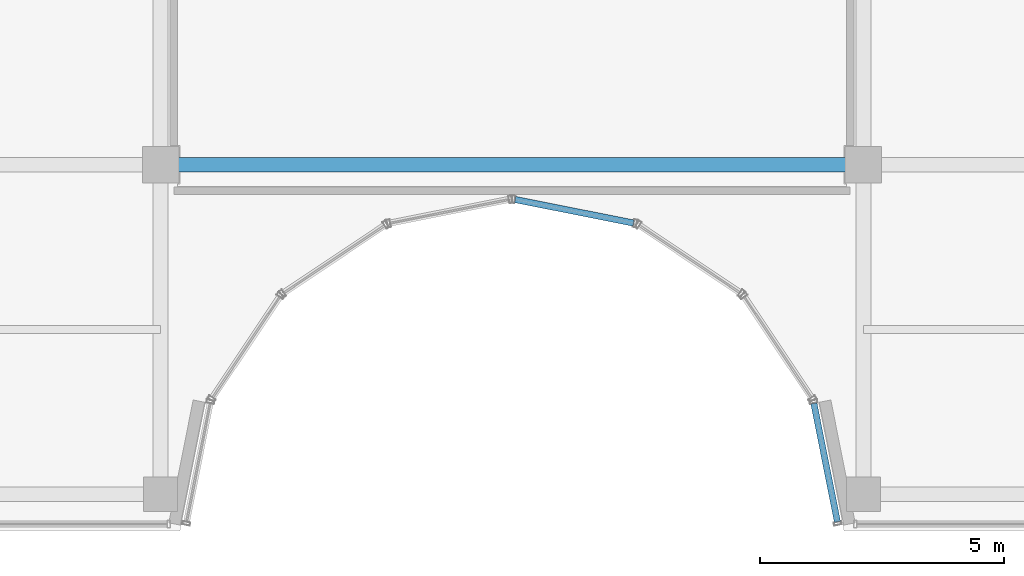
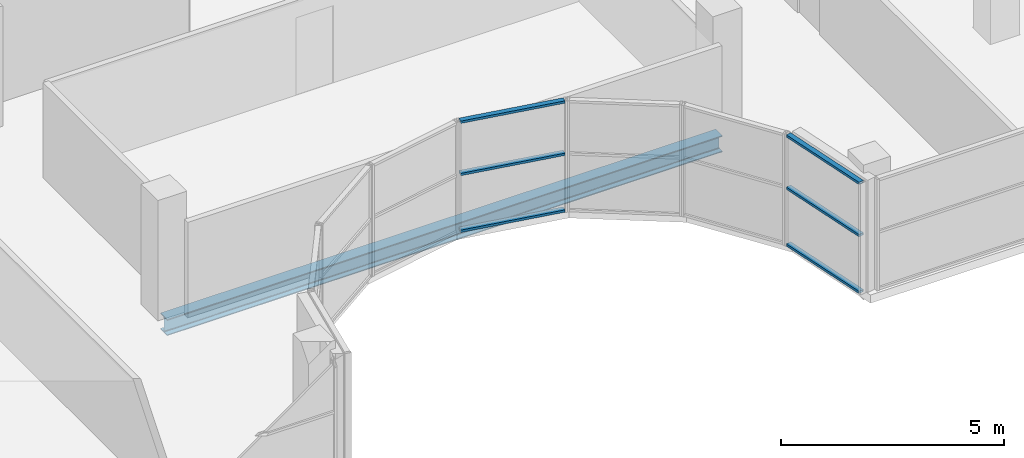
# One storey, part 6 of 29: 6 members, 1 beam, 2 elements without a shape of their own.
"""IFC4 building model written with IfcOpenShell, lengths in metres."""

from ifc_helpers import new_model, si_unit, direction, frame, origin, origin_2d, place, context, subcontext, project, spatial, hollow_rectangle, i_section, extrude, source, transform, mapped, material, layer, layer_set, material_profile, profile_set, type_object, element, aggregate, save


model = new_model("IFC4")

# Units and contexts
model_context = context("Model", 3, precision=1e-05, world=origin(), true_north=direction((0.0, 1.0)))
body_context = subcontext(model_context, "Body", "Model", "MODEL_VIEW")
ifc_project = project(units=[si_unit("LENGTHUNIT", "METRE"), si_unit("AREAUNIT", "SQUARE_METRE"), si_unit("VOLUMEUNIT", "CUBIC_METRE"), si_unit("PLANEANGLEUNIT", "RADIAN"), si_unit("MASSUNIT", "GRAM", prefix="KILO")], contexts=[model_context])

# Site, building, storey
site_placement = place(None, origin())
site = spatial("IfcSite", under=ifc_project, at=site_placement, CompositionType="ELEMENT")
building_placement = place(site_placement, origin())
building = spatial("IfcBuilding", under=site, at=building_placement, Name="Zarnakvel Exchange Tower", CompositionType="ELEMENT")
storey_placement = place(building_placement, frame((0.0, 0.0, 265.0)))
storey = spatial("IfcBuildingStorey", under=building, at=storey_placement, Name="L75", CompositionType="ELEMENT", Elevation=265.0)

# Beam
ifc_material_1 = material(Name="Steel S355", Category="steel")
ifc_material_profile_1 = material_profile(ifc_material_1, i_section(OverallWidth=0.300048828125, OverallDepth=0.449951171875, WebThickness=0.013916015625, FlangeThickness=0.02587890625, FilletRadius=0.027099609375, at=origin_2d()))
ifc_profile_set_1 = profile_set([ifc_material_profile_1], Name="Steel S355")
beam_type = type_object("IfcBeamType", Name="G-07", PredefinedType="BEAM", material=ifc_profile_set_1)
beam_placement = place(storey_placement, frame((-7.199951171875, -9.60009765625, -0.449951171875), z_axis=(1.0, 0.0, 0.0), x_axis=(0.0, 1.0, 0.0)))
element("IfcBeam", 1, at=beam_placement, inside=storey, type_object=beam_type, Name="L75 Tower E-W Frame Beam", PredefinedType="BEAM", context=body_context, shape_type="SweptSolid", body=[
    extrude(i_section(OverallWidth=0.300048828125, OverallDepth=0.449951171875, WebThickness=0.013916015625, FlangeThickness=0.02587890625, FilletRadius=0.027099609375, at=origin_2d()), origin(), (0.0, 0.0, 1.0), 14.39990234375),
])

# Curtain wall, members
ifc_material_2 = material(Name="Architectural Bronze Anodised Aluminium", Category="aluminium")
ifc_layer = layer(ifc_material_2, 0.159912109375)
ifc_layer_set = layer_set([ifc_layer], Name="Architectural Bronze Anodised Aluminium")
curtain_wall_type = type_object("IfcCurtainWallType", Name="CW-06", PredefinedType="NOTDEFINED", material=ifc_layer_set)
curtain_wall_1_placement = place(storey_placement, origin())
curtain_wall_1 = element("IfcCurtainWall", 2, at=curtain_wall_1_placement, inside=storey, type_object=curtain_wall_type, Name="L75 Curtain Wall CW-L75-NC5 (CW-06)", PredefinedType="NOTDEFINED")
ifc_material_profile_2 = material_profile(ifc_material_2, hollow_rectangle(XDim=0.1298828125, YDim=0.06494140625, WallThickness=0.00390625, at=origin_2d()))
ifc_profile_set_2 = profile_set([ifc_material_profile_2], Name="Architectural Bronze Anodised Aluminium")
member_type = type_object("IfcMemberType", Name="CWT-06", PredefinedType="USERDEFINED", material=ifc_profile_set_2)
shared_shape = source(origin(), body_context, "Body", "SweptSolid", [
    extrude(hollow_rectangle(XDim=0.1298828125, YDim=0.06494140625, WallThickness=0.00390625, at=origin_2d()), origin(), (0.0, 0.0, 1.0), 2.4765625),
])
member_1_placement = place(storey_placement, frame((0.063720703125, -10.312744140625, 0.032470703125), z_axis=(0.980784886983, -0.195092299863, 0.0), x_axis=(0.195092299863, 0.980784886983, 0.0)))
member_1 = element("IfcMember", 3, at=member_1_placement, type_object=member_type, Name="CW-06 transom 1.1", ObjectType="TRANSOM", PredefinedType="USERDEFINED", context=body_context, shape_type="MappedRepresentation", body=[
    mapped(shared_shape, transform((0.0, 0.0, 0.0), x_axis=(1.0, 0.0, 0.0), y_axis=(0.0, 1.0, 0.0), z_axis=(0.0, 0.0, 1.0), scale=1.0)),
])
member_2_placement = place(storey_placement, frame((0.063720703125, -10.312744140625, 1.588623046875), z_axis=(0.980784886983, -0.195092299863, 0.0), x_axis=(0.195092299863, 0.980784886983, 0.0)))
member_2 = element("IfcMember", 4, at=member_2_placement, type_object=member_type, Name="CW-06 transom 1.2", ObjectType="TRANSOM", PredefinedType="USERDEFINED", context=body_context, shape_type="MappedRepresentation", body=[
    mapped(shared_shape, transform((0.0, 0.0, 0.0), x_axis=(1.0, 0.0, 0.0), y_axis=(0.0, 1.0, 0.0), z_axis=(0.0, 0.0, 1.0), scale=1.0)),
])
member_3_placement = place(storey_placement, frame((0.063720703125, -10.312744140625, 3.0224609375), z_axis=(0.980784886983, -0.195092299863, 0.0), x_axis=(0.195092299863, 0.980784886983, 0.0)))
member_3 = element("IfcMember", 5, at=member_3_placement, type_object=member_type, Name="CW-06 transom 1.3", ObjectType="TRANSOM", PredefinedType="USERDEFINED", context=body_context, shape_type="MappedRepresentation", body=[
    mapped(shared_shape, transform((0.0, 0.0, 0.0), x_axis=(1.0, 0.0, 0.0), y_axis=(0.0, 1.0, 0.0), z_axis=(0.0, 0.0, 1.0), scale=1.0)),
])
aggregate(curtain_wall_1, [member_1, member_2, member_3])

curtain_wall_2_placement = place(storey_placement, origin())
curtain_wall_2 = element("IfcCurtainWall", 6, at=curtain_wall_2_placement, inside=storey, type_object=curtain_wall_type, Name="L75 Curtain Wall CW-L75-NC8 (CW-06)", PredefinedType="NOTDEFINED")
member_4_placement = place(storey_placement, frame((6.18408203125, -14.4873046875, 0.032470703125), z_axis=(0.195092299863, -0.980784886983, 0.0), x_axis=(0.980784886983, 0.195092299863, 0.0)))
member_4 = element("IfcMember", 7, at=member_4_placement, type_object=member_type, Name="CW-06 transom 1.1", ObjectType="TRANSOM", PredefinedType="USERDEFINED", context=body_context, shape_type="MappedRepresentation", body=[
    mapped(shared_shape, transform((0.0, 0.0, 0.0), x_axis=(1.0, 0.0, 0.0), y_axis=(0.0, 1.0, 0.0), z_axis=(0.0, 0.0, 1.0), scale=1.0)),
])
member_5_placement = place(storey_placement, frame((6.18408203125, -14.4873046875, 1.588623046875), z_axis=(0.195092299863, -0.980784886983, 0.0), x_axis=(0.980784886983, 0.195092299863, 0.0)))
member_5 = element("IfcMember", 8, at=member_5_placement, type_object=member_type, Name="CW-06 transom 1.2", ObjectType="TRANSOM", PredefinedType="USERDEFINED", context=body_context, shape_type="MappedRepresentation", body=[
    mapped(shared_shape, transform((0.0, 0.0, 0.0), x_axis=(1.0, 0.0, 0.0), y_axis=(0.0, 1.0, 0.0), z_axis=(0.0, 0.0, 1.0), scale=1.0)),
])
member_6_placement = place(storey_placement, frame((6.18408203125, -14.4873046875, 3.0224609375), z_axis=(0.195092299863, -0.980784886983, 0.0), x_axis=(0.980784886983, 0.195092299863, 0.0)))
member_6 = element("IfcMember", 9, at=member_6_placement, type_object=member_type, Name="CW-06 transom 1.3", ObjectType="TRANSOM", PredefinedType="USERDEFINED", context=body_context, shape_type="MappedRepresentation", body=[
    mapped(shared_shape, transform((0.0, 0.0, 0.0), x_axis=(1.0, 0.0, 0.0), y_axis=(0.0, 1.0, 0.0), z_axis=(0.0, 0.0, 1.0), scale=1.0)),
])
aggregate(curtain_wall_2, [member_4, member_5, member_6])

save(model, "model.ifc")
